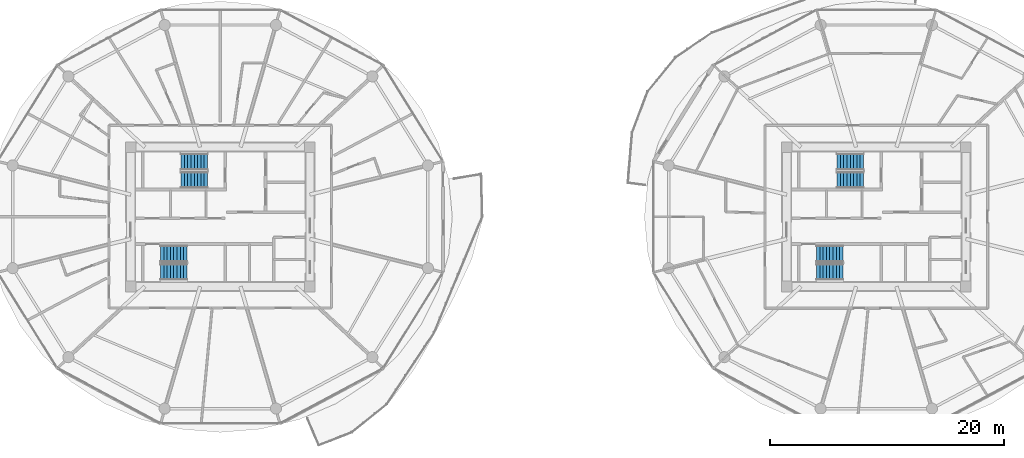
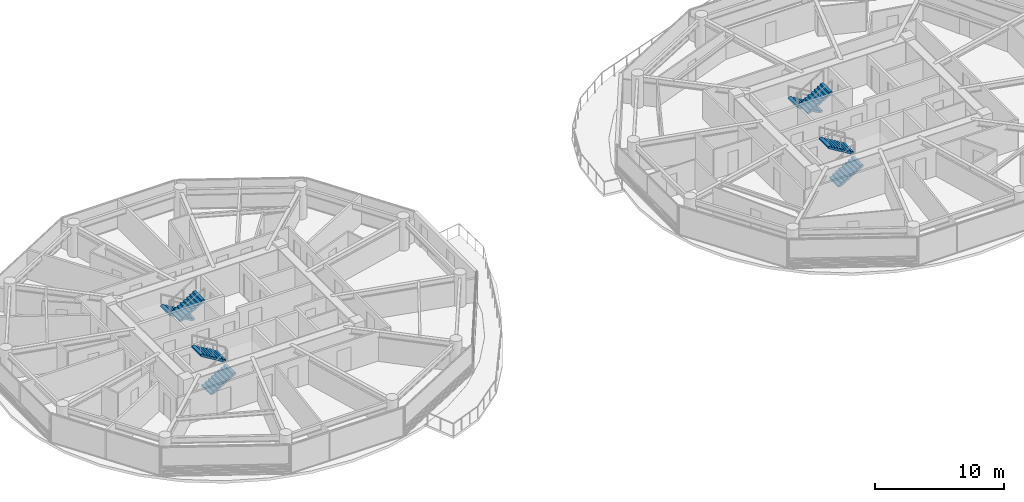
# One storey, part 21 of 27: 8 stair flights, 4 elements without a shape of their own.
"""IFC4 building model written with IfcOpenShell, lengths in metres."""

from ifc_helpers import new_model, si_unit, direction, frame, origin, place, context, subcontext, project, spatial, polyline, outline, extrude, material, type_object, element, aggregate, save


model = new_model("IFC4")

# Units and contexts
model_context = context("Model", 3, precision=1e-05, world=origin(), true_north=direction((0.0, 1.0)))
body_context = subcontext(model_context, "Body", "Model", "MODEL_VIEW")
ifc_project = project(units=[si_unit("LENGTHUNIT", "METRE"), si_unit("AREAUNIT", "SQUARE_METRE"), si_unit("VOLUMEUNIT", "CUBIC_METRE"), si_unit("PLANEANGLEUNIT", "RADIAN"), si_unit("MASSUNIT", "GRAM", prefix="KILO")], contexts=[model_context])

# Site, building, storey
site_placement = place(None, origin())
site = spatial("IfcSite", under=ifc_project, at=site_placement, CompositionType="ELEMENT")
building_placement = place(site_placement, origin())
building = spatial("IfcBuilding", under=site, at=building_placement, Name="Norrkilde Senior Care Towers", CompositionType="ELEMENT")
storey_placement = place(building_placement, frame((0.0, 0.0, 58.199951171875)))
storey = spatial("IfcBuildingStorey", under=building, at=storey_placement, Name="L17", CompositionType="ELEMENT", Elevation=58.199951171875)

# Stair, stair flights
ifc_material = material(Name="Concrete C45/55", Category="concrete")
stair_type = type_object("IfcStairType", Name="Core Protected Dogleg Stair Typical 3050", PredefinedType="HALF_TURN_STAIR", material=ifc_material)
stair_1_placement = place(storey_placement, origin())
stair_1 = element("IfcStair", 1, at=stair_1_placement, inside=storey, type_object=stair_type, Name="L17 Protected Core Stair W1", PredefinedType="HALF_TURN_STAIR")
stair_flight_type = type_object("IfcStairFlightType", Name="Core Protected Dogleg Stair Typical 3050 Flight", PredefinedType="STRAIGHT", material=ifc_material)
stair_flight_1_placement = place(storey_placement, frame((-29.10009765625, 4.699951171875, 0.0), z_axis=(0.0, 0.0, 1.0), x_axis=(-1.0, 0.0, 0.0)))
stair_flight_1 = element("IfcStairFlight", 2, at=stair_flight_1_placement, type_object=stair_flight_type, Name="ST-W1 flight 1", NumberOfRisers=9, NumberOfTreads=8, PredefinedType="STRAIGHT", RiserHeight=0.169444444, TreadLength=0.28, context=body_context, shape_type="SweptSolid", body=[
    extrude(outline(polyline([(0.0, 0.0), (0.0, 0.16943359375), (0.280029296875, 0.16943359375), (0.280029296875, 0.3388671875), (0.56005859375, 0.3388671875), (0.56005859375, 0.50830078125), (0.840087890625, 0.50830078125), (0.840087890625, 0.677734375), (1.1201171875, 0.677734375), (1.1201171875, 0.84716796875), (1.39990234375, 0.84716796875), (1.39990234375, 1.0166015625), (1.679931640625, 1.0166015625), (1.679931640625, 1.18603515625), (1.9599609375, 1.18603515625), (1.9599609375, 1.35546875), (2.239990234375, 1.35546875), (2.239990234375, 1.52490234375), (2.239990234375, 1.180419921875), (0.28955078125, 0.0), (0.0, 0.0)])), frame((0.0, 0.699951171875, 0.0), z_axis=(0.0, -1.0, 0.0), x_axis=(1.0, 0.0, 0.0)), (0.0, 0.0, 1.0), 1.39990234375),
])
stair_flight_2_placement = place(storey_placement, frame((-31.340087890625, 3.14990234375, 1.525146484375), z_axis=(0.0, 0.0, 1.0), x_axis=(1.0, 0.0, 0.0)))
stair_flight_2 = element("IfcStairFlight", 3, at=stair_flight_2_placement, type_object=stair_flight_type, Name="ST-W1 flight 2", NumberOfRisers=9, NumberOfTreads=8, PredefinedType="STRAIGHT", RiserHeight=0.169444444, TreadLength=0.28, context=body_context, shape_type="SweptSolid", body=[
    extrude(outline(polyline([(0.0, 0.0), (0.0, 0.16943359375), (0.280029296875, 0.16943359375), (0.280029296875, 0.3388671875), (0.56005859375, 0.3388671875), (0.56005859375, 0.50830078125), (0.840087890625, 0.50830078125), (0.840087890625, 0.677734375), (1.1201171875, 0.677734375), (1.1201171875, 0.84716796875), (1.39990234375, 0.84716796875), (1.39990234375, 1.0166015625), (1.679931640625, 1.0166015625), (1.679931640625, 1.18603515625), (1.9599609375, 1.18603515625), (1.9599609375, 1.35546875), (2.239990234375, 1.35546875), (2.239990234375, 1.52490234375), (2.239990234375, 1.180419921875), (0.28955078125, 0.0), (0.0, 0.0)])), frame((0.0, 0.699951171875, 0.0), z_axis=(0.0, -1.0, 0.0), x_axis=(1.0, 0.0, 0.0)), (0.0, 0.0, 1.0), 1.39990234375),
])
aggregate(stair_1, [stair_flight_1, stair_flight_2])

stair_2_placement = place(storey_placement, origin())
stair_2 = element("IfcStair", 4, at=stair_2_placement, inside=storey, type_object=stair_type, Name="L17 Protected Core Stair W2", PredefinedType="HALF_TURN_STAIR")
stair_flight_3_placement = place(storey_placement, frame((-33.10009765625, -4.699951171875, 0.0), z_axis=(0.0, 0.0, 1.0), x_axis=(1.0, 0.0, 0.0)))
stair_flight_3 = element("IfcStairFlight", 5, at=stair_flight_3_placement, type_object=stair_flight_type, Name="ST-W2 flight 1", NumberOfRisers=9, NumberOfTreads=8, PredefinedType="STRAIGHT", RiserHeight=0.169444444, TreadLength=0.28, context=body_context, shape_type="SweptSolid", body=[
    extrude(outline(polyline([(0.0, 0.0), (0.0, 0.16943359375), (0.280029296875, 0.16943359375), (0.280029296875, 0.3388671875), (0.56005859375, 0.3388671875), (0.56005859375, 0.50830078125), (0.840087890625, 0.50830078125), (0.840087890625, 0.677734375), (1.1201171875, 0.677734375), (1.1201171875, 0.84716796875), (1.39990234375, 0.84716796875), (1.39990234375, 1.0166015625), (1.679931640625, 1.0166015625), (1.679931640625, 1.18603515625), (1.9599609375, 1.18603515625), (1.9599609375, 1.35546875), (2.239990234375, 1.35546875), (2.239990234375, 1.52490234375), (2.239990234375, 1.180419921875), (0.28955078125, 0.0), (0.0, 0.0)])), frame((0.0, 0.699951171875, 0.0), z_axis=(0.0, -1.0, 0.0), x_axis=(1.0, 0.0, 0.0)), (0.0, 0.0, 1.0), 1.39990234375),
])
stair_flight_4_placement = place(storey_placement, frame((-30.860107421875, -3.14990234375, 1.525146484375), z_axis=(0.0, 0.0, 1.0), x_axis=(-1.0, 0.0, 0.0)))
stair_flight_4 = element("IfcStairFlight", 6, at=stair_flight_4_placement, type_object=stair_flight_type, Name="ST-W2 flight 2", NumberOfRisers=9, NumberOfTreads=8, PredefinedType="STRAIGHT", RiserHeight=0.169444444, TreadLength=0.28, context=body_context, shape_type="SweptSolid", body=[
    extrude(outline(polyline([(0.0, 0.0), (0.0, 0.16943359375), (0.280029296875, 0.16943359375), (0.280029296875, 0.3388671875), (0.56005859375, 0.3388671875), (0.56005859375, 0.50830078125), (0.840087890625, 0.50830078125), (0.840087890625, 0.677734375), (1.1201171875, 0.677734375), (1.1201171875, 0.84716796875), (1.39990234375, 0.84716796875), (1.39990234375, 1.0166015625), (1.679931640625, 1.0166015625), (1.679931640625, 1.18603515625), (1.9599609375, 1.18603515625), (1.9599609375, 1.35546875), (2.239990234375, 1.35546875), (2.239990234375, 1.52490234375), (2.239990234375, 1.180419921875), (0.28955078125, 0.0), (0.0, 0.0)])), frame((0.0, 0.699951171875, 0.0), z_axis=(0.0, -1.0, 0.0), x_axis=(1.0, 0.0, 0.0)), (0.0, 0.0, 1.0), 1.39990234375),
])
aggregate(stair_2, [stair_flight_3, stair_flight_4])

stair_3_placement = place(storey_placement, origin())
stair_3 = element("IfcStair", 7, at=stair_3_placement, inside=storey, type_object=stair_type, Name="L17 Protected Core Stair E1", PredefinedType="HALF_TURN_STAIR")
stair_flight_5_placement = place(storey_placement, frame((26.89990234375, 4.699951171875, 0.0), z_axis=(0.0, 0.0, 1.0), x_axis=(-1.0, 0.0, 0.0)))
stair_flight_5 = element("IfcStairFlight", 8, at=stair_flight_5_placement, type_object=stair_flight_type, Name="ST-E1 flight 1", NumberOfRisers=9, NumberOfTreads=8, PredefinedType="STRAIGHT", RiserHeight=0.169444444, TreadLength=0.28, context=body_context, shape_type="SweptSolid", body=[
    extrude(outline(polyline([(0.0, 0.0), (0.0, 0.16943359375), (0.280029296875, 0.16943359375), (0.280029296875, 0.3388671875), (0.56005859375, 0.3388671875), (0.56005859375, 0.50830078125), (0.840087890625, 0.50830078125), (0.840087890625, 0.677734375), (1.1201171875, 0.677734375), (1.1201171875, 0.84716796875), (1.39990234375, 0.84716796875), (1.39990234375, 1.0166015625), (1.679931640625, 1.0166015625), (1.679931640625, 1.18603515625), (1.9599609375, 1.18603515625), (1.9599609375, 1.35546875), (2.239990234375, 1.35546875), (2.239990234375, 1.52490234375), (2.239990234375, 1.180419921875), (0.28955078125, 0.0), (0.0, 0.0)])), frame((0.0, 0.699951171875, 0.0), z_axis=(0.0, -1.0, 0.0), x_axis=(1.0, 0.0, 0.0)), (0.0, 0.0, 1.0), 1.39990234375),
])
stair_flight_6_placement = place(storey_placement, frame((24.659912109375, 3.14990234375, 1.525146484375), z_axis=(0.0, 0.0, 1.0), x_axis=(1.0, 0.0, 0.0)))
stair_flight_6 = element("IfcStairFlight", 9, at=stair_flight_6_placement, type_object=stair_flight_type, Name="ST-E1 flight 2", NumberOfRisers=9, NumberOfTreads=8, PredefinedType="STRAIGHT", RiserHeight=0.169444444, TreadLength=0.28, context=body_context, shape_type="SweptSolid", body=[
    extrude(outline(polyline([(0.0, 0.0), (0.0, 0.16943359375), (0.280029296875, 0.16943359375), (0.280029296875, 0.3388671875), (0.56005859375, 0.3388671875), (0.56005859375, 0.50830078125), (0.840087890625, 0.50830078125), (0.840087890625, 0.677734375), (1.1201171875, 0.677734375), (1.1201171875, 0.84716796875), (1.39990234375, 0.84716796875), (1.39990234375, 1.0166015625), (1.679931640625, 1.0166015625), (1.679931640625, 1.18603515625), (1.9599609375, 1.18603515625), (1.9599609375, 1.35546875), (2.239990234375, 1.35546875), (2.239990234375, 1.52490234375), (2.239990234375, 1.180419921875), (0.28955078125, 0.0), (0.0, 0.0)])), frame((0.0, 0.699951171875, 0.0), z_axis=(0.0, -1.0, 0.0), x_axis=(1.0, 0.0, 0.0)), (0.0, 0.0, 1.0), 1.39990234375),
])
aggregate(stair_3, [stair_flight_5, stair_flight_6])

stair_4_placement = place(storey_placement, origin())
stair_4 = element("IfcStair", 10, at=stair_4_placement, inside=storey, type_object=stair_type, Name="L17 Protected Core Stair E2", PredefinedType="HALF_TURN_STAIR")
stair_flight_7_placement = place(storey_placement, frame((22.89990234375, -4.699951171875, 0.0), z_axis=(0.0, 0.0, 1.0), x_axis=(1.0, 0.0, 0.0)))
stair_flight_7 = element("IfcStairFlight", 11, at=stair_flight_7_placement, type_object=stair_flight_type, Name="ST-E2 flight 1", NumberOfRisers=9, NumberOfTreads=8, PredefinedType="STRAIGHT", RiserHeight=0.169444444, TreadLength=0.28, context=body_context, shape_type="SweptSolid", body=[
    extrude(outline(polyline([(0.0, 0.0), (0.0, 0.16943359375), (0.280029296875, 0.16943359375), (0.280029296875, 0.3388671875), (0.56005859375, 0.3388671875), (0.56005859375, 0.50830078125), (0.840087890625, 0.50830078125), (0.840087890625, 0.677734375), (1.1201171875, 0.677734375), (1.1201171875, 0.84716796875), (1.39990234375, 0.84716796875), (1.39990234375, 1.0166015625), (1.679931640625, 1.0166015625), (1.679931640625, 1.18603515625), (1.9599609375, 1.18603515625), (1.9599609375, 1.35546875), (2.239990234375, 1.35546875), (2.239990234375, 1.52490234375), (2.239990234375, 1.180419921875), (0.28955078125, 0.0), (0.0, 0.0)])), frame((0.0, 0.699951171875, 0.0), z_axis=(0.0, -1.0, 0.0), x_axis=(1.0, 0.0, 0.0)), (0.0, 0.0, 1.0), 1.39990234375),
])
stair_flight_8_placement = place(storey_placement, frame((25.139892578125, -3.14990234375, 1.525146484375), z_axis=(0.0, 0.0, 1.0), x_axis=(-1.0, 0.0, 0.0)))
stair_flight_8 = element("IfcStairFlight", 12, at=stair_flight_8_placement, type_object=stair_flight_type, Name="ST-E2 flight 2", NumberOfRisers=9, NumberOfTreads=8, PredefinedType="STRAIGHT", RiserHeight=0.169444444, TreadLength=0.28, context=body_context, shape_type="SweptSolid", body=[
    extrude(outline(polyline([(0.0, 0.0), (0.0, 0.16943359375), (0.280029296875, 0.16943359375), (0.280029296875, 0.3388671875), (0.56005859375, 0.3388671875), (0.56005859375, 0.50830078125), (0.840087890625, 0.50830078125), (0.840087890625, 0.677734375), (1.1201171875, 0.677734375), (1.1201171875, 0.84716796875), (1.39990234375, 0.84716796875), (1.39990234375, 1.0166015625), (1.679931640625, 1.0166015625), (1.679931640625, 1.18603515625), (1.9599609375, 1.18603515625), (1.9599609375, 1.35546875), (2.239990234375, 1.35546875), (2.239990234375, 1.52490234375), (2.239990234375, 1.180419921875), (0.28955078125, 0.0), (0.0, 0.0)])), frame((0.0, 0.699951171875, 0.0), z_axis=(0.0, -1.0, 0.0), x_axis=(1.0, 0.0, 0.0)), (0.0, 0.0, 1.0), 1.39990234375),
])
aggregate(stair_4, [stair_flight_7, stair_flight_8])

save(model, "model.ifc")
